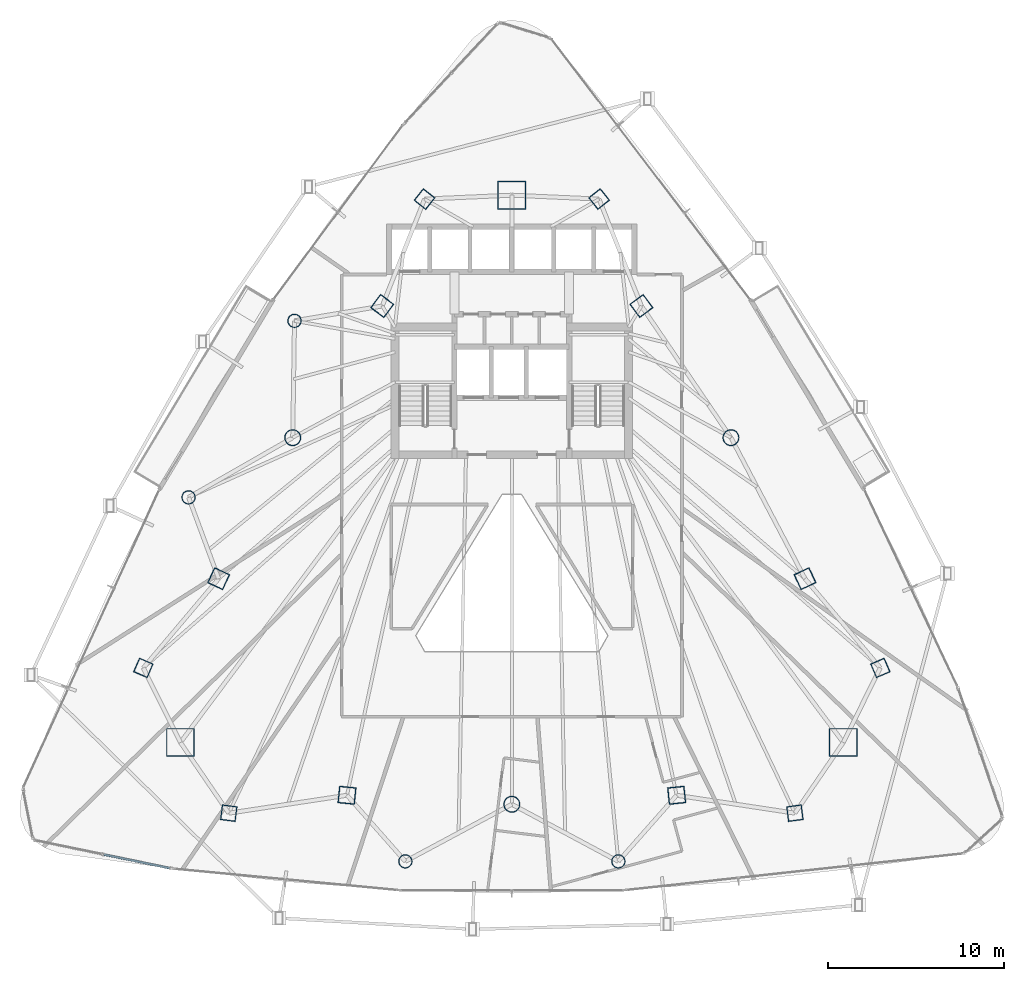
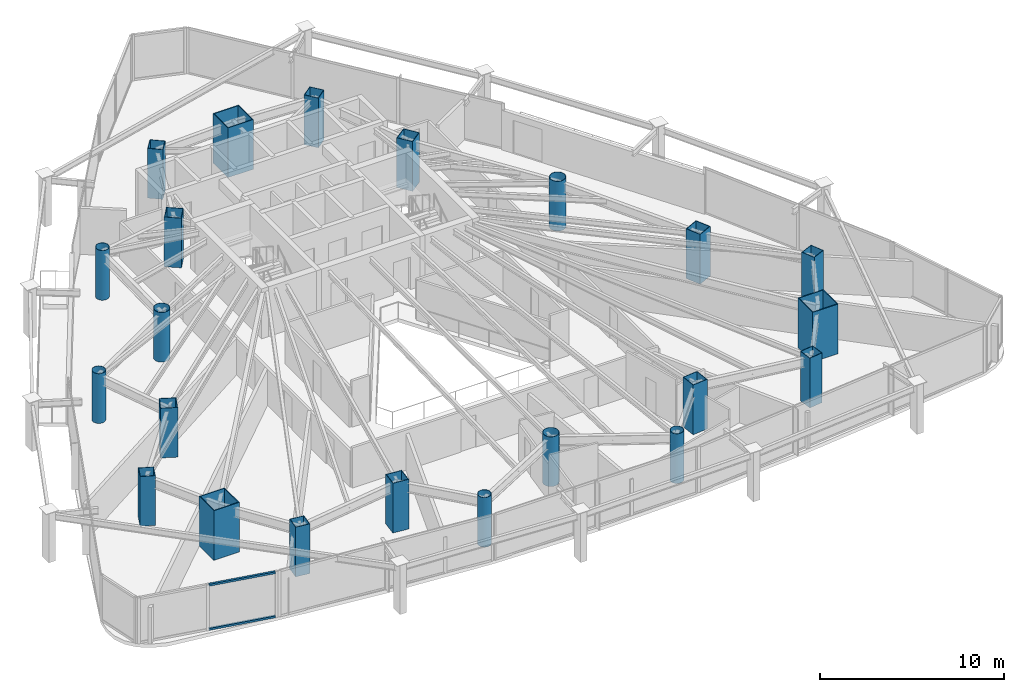
# One storey, part 1 of 33: 22 columns, 2 members, 1 element without a shape of its own.
"""IFC4 building model written with IfcOpenShell, lengths in metres."""

from ifc_helpers import new_model, si_unit, direction, frame, origin, origin_2d, place, context, subcontext, project, spatial, hollow_rectangle, hollow_circle, extrude, material, layer, layer_set, material_profile, profile_set, type_object, element, aggregate, save


model = new_model("IFC4")

# Units and contexts
model_context = context("Model", 3, precision=1e-05, world=origin(), true_north=direction((0.0, 1.0)))
body_context = subcontext(model_context, "Body", "Model", "MODEL_VIEW")
ifc_project = project(units=[si_unit("LENGTHUNIT", "METRE"), si_unit("AREAUNIT", "SQUARE_METRE"), si_unit("VOLUMEUNIT", "CUBIC_METRE"), si_unit("PLANEANGLEUNIT", "RADIAN"), si_unit("MASSUNIT", "GRAM", prefix="KILO")], contexts=[model_context])

# Site, building, storey
site_placement = place(None, origin())
site = spatial("IfcSite", under=ifc_project, at=site_placement, CompositionType="ELEMENT")
building_placement = place(site_placement, origin())
building = spatial("IfcBuilding", under=site, at=building_placement, Name="Orvanel Arch Residences", CompositionType="ELEMENT")
storey_placement = place(building_placement, frame((0.0, 0.0, 70.85009765625)))
storey = spatial("IfcBuildingStorey", under=building, at=storey_placement, Name="L19", CompositionType="ELEMENT", Elevation=70.85009765625)

# Columns
ifc_material_1 = material(Name="Structural steel AS/NZS 1163 C450L0 (Grade 450)", Category="steel")
ifc_material_profile_1 = material_profile(ifc_material_1, hollow_circle(Radius=0.381103515625, WallThickness=0.02197265625, at=origin_2d()), Name="CHS762x22")
ifc_profile_set_1 = profile_set([ifc_material_profile_1], Name="Structural steel AS/NZS 1163 C450L0 (Grade 450)")
column_type_1 = type_object("IfcColumnType", Name="CC-762", PredefinedType="COLUMN", material=ifc_profile_set_1)
for number, where, z_axis, x_axis, name in (
    (1, (20.669921875, 34.27099609375, 0.0), (0.0, 0.0, 1.0), (1.0, 0.0, 0.0), "L19 Low-Rise Buttress Tube Column 01"),
    (2, (14.662109375, 24.256103515625, 0.0), (0.0, 0.0, 1.0), (1.0, 0.0, 0.0), "L19 Low-Rise Buttress Tube Column 02"),
    (3, (26.9580078125, 3.60498046875, 0.0), (0.0, 0.0, 1.0), (1.0, 0.0, 0.0), "L19 Low-Rise Buttress Tube Column 03"),
    (4, (39.0419921875, 3.60498046875, 0.0), (0.0, 0.0, 1.0), (1.0, 0.0, 0.0), "L19 Low-Rise Buttress Tube Column 04"),
):
    element("IfcColumn", number, at=place(storey_placement, frame(where, z_axis=z_axis, x_axis=x_axis)), inside=storey, type_object=column_type_1, Name=name, PredefinedType="COLUMN", context=body_context, shape_type="SweptSolid", body=[
        extrude(hollow_circle(Radius=0.381103515625, WallThickness=0.02197265625, at=origin_2d()), origin(), (0.0, 0.0, 1.0), 3.2998046875),
    ])
ifc_material_profile_2 = material_profile(ifc_material_1, hollow_circle(Radius=0.45703125, WallThickness=0.02490234375, at=origin_2d()), Name="CHS914x25")
ifc_profile_set_2 = profile_set([ifc_material_profile_2], Name="Structural steel AS/NZS 1163 C450L0 (Grade 450)")
column_type_2 = type_object("IfcColumnType", Name="CC-914", PredefinedType="COLUMN", material=ifc_profile_set_2)
for number, where, z_axis, x_axis, name in (
    (5, (20.569091796875, 27.64111328125, 0.0), (0.0, 0.0, 1.0), (1.0, 0.0, 0.0), "L19 High-Rise Tube Column 02"),
    (6, (33.0, 6.843994140625, 0.0), (0.0, 0.0, 1.0), (1.0, 0.0, 0.0), "L19 High-Rise Tube Column 05"),
    (7, (45.430908203125, 27.64111328125, 0.0), (0.0, 0.0, 1.0), (1.0, 0.0, 0.0), "L19 High-Rise Tube Column 08"),
):
    element("IfcColumn", number, at=place(storey_placement, frame(where, z_axis=z_axis, x_axis=x_axis)), inside=storey, type_object=column_type_2, Name=name, PredefinedType="COLUMN", context=body_context, shape_type="SweptSolid", body=[
        extrude(hollow_circle(Radius=0.45703125, WallThickness=0.02490234375, at=origin_2d()), origin(), (0.0, 0.0, 1.0), 3.2998046875),
    ])
ifc_material_2 = material(Name="Structural steel AS/NZS 3678 Grade 450", Category="steel")
ifc_material_profile_3 = material_profile(ifc_material_2, hollow_rectangle(XDim=1.60009765625, YDim=1.60009765625, WallThickness=0.050048828125, at=origin_2d()), Name="BOX1600x1600x50")
ifc_profile_set_3 = profile_set([ifc_material_profile_3], Name="Structural steel AS/NZS 3678 Grade 450")
column_type_3 = type_object("IfcColumnType", Name="MC-1600", PredefinedType="COLUMN", material=ifc_profile_set_3)
for number, where, z_axis, x_axis, name in (
    (8, (33.0, 41.39794921875, 0.0), (0.0, 0.0, 1.0), (1.0, 0.0, 0.0), "L19 Corner Mega-Column 1"),
    (9, (14.198974609375, 10.35107421875, 0.0), (0.0, 0.0, 1.0), (1.0, 0.0, 0.0), "L19 Corner Mega-Column 2"),
    (10, (51.801025390625, 10.35107421875, 0.0), (0.0, 0.0, 1.0), (1.0, 0.0, 0.0), "L19 Corner Mega-Column 3"),
):
    element("IfcColumn", number, at=place(storey_placement, frame(where, z_axis=z_axis, x_axis=x_axis)), inside=storey, type_object=column_type_3, Name=name, PredefinedType="COLUMN", context=body_context, shape_type="SweptSolid", body=[
        extrude(hollow_rectangle(XDim=1.60009765625, YDim=1.60009765625, WallThickness=0.050048828125, at=origin_2d()), origin(), (0.0, 0.0, 1.0), 3.2998046875),
    ])
ifc_material_3 = material(Name="Structural steel AS/NZS 3678 Grade 350", Category="steel")
ifc_material_profile_4 = material_profile(ifc_material_3, hollow_rectangle(XDim=0.85009765625, YDim=0.85009765625, WallThickness=0.028076171875, at=origin_2d()), Name="BOX850x850x28")
ifc_profile_set_4 = profile_set([ifc_material_profile_4], Name="Structural steel AS/NZS 3678 Grade 350")
column_type_4 = type_object("IfcColumnType", Name="TC-850", PredefinedType="COLUMN", material=ifc_profile_set_4)
for number, where, z_axis, x_axis, name in (
    (11, (28.050048828125, 41.177978515625, 0.0), (0.0, 0.0, 1.0), (0.623879596709, 0.781520472419, 0.0), "L19 Mid-Rise Buttress Tube Column 01"),
    (12, (12.094970703125, 14.580078125, 0.0), (0.0, 0.0, 1.0), (0.397147890635, 0.917754625684, 0.0), "L19 Mid-Rise Buttress Tube Column 02"),
    (13, (16.94091796875, 6.339111328125, 0.0), (0.0, 0.0, 1.0), (-0.99189444259, 0.127064608601, 0.0), "L19 Mid-Rise Buttress Tube Column 03"),
    (14, (49.05908203125, 6.339111328125, 0.0), (0.0, 0.0, 1.0), (0.99189444259, 0.127064608601, 0.0), "L19 Mid-Rise Buttress Tube Column 04"),
    (15, (53.905029296875, 14.580078125, 0.0), (0.0, 0.0, 1.0), (-0.397147890635, 0.917754625684, 0.0), "L19 Mid-Rise Buttress Tube Column 05"),
    (16, (37.949951171875, 41.177978515625, 0.0), (0.0, 0.0, 1.0), (-0.623879596709, 0.781520472419, 0.0), "L19 Mid-Rise Buttress Tube Column 06"),
):
    element("IfcColumn", number, at=place(storey_placement, frame(where, z_axis=z_axis, x_axis=x_axis)), inside=storey, type_object=column_type_4, Name=name, PredefinedType="COLUMN", context=body_context, shape_type="SweptSolid", body=[
        extrude(hollow_rectangle(XDim=0.85009765625, YDim=0.85009765625, WallThickness=0.028076171875, at=origin_2d()), origin(), (0.0, 0.0, 1.0), 3.2998046875),
    ])
ifc_material_profile_5 = material_profile(ifc_material_3, hollow_rectangle(XDim=0.949951171875, YDim=0.949951171875, WallThickness=0.031982421875, at=origin_2d()), Name="BOX950x950x32")
ifc_profile_set_5 = profile_set([ifc_material_profile_5], Name="Structural steel AS/NZS 3678 Grade 350")
column_type_5 = type_object("IfcColumnType", Name="TC-950", PredefinedType="COLUMN", material=ifc_profile_set_5)
for number, where, z_axis, x_axis, name in (
    (17, (25.64794921875, 35.113037109375, 0.0), (0.0, 0.0, 1.0), (0.600420225326, 0.799684658487, 0.0), "L19 High-Rise Tube Column 01"),
    (18, (16.366943359375, 19.64208984375, 0.0), (0.0, 0.0, 1.0), (0.422618261741, 0.906307787037, 0.0), "L19 High-Rise Tube Column 03"),
    (19, (23.64892578125, 7.35498046875, 0.0), (0.0, 0.0, 1.0), (-0.994880708829, 0.101056297183, 0.0), "L19 High-Rise Tube Column 04"),
    (20, (42.35107421875, 7.35498046875, 0.0), (0.0, 0.0, 1.0), (0.994880708829, 0.101056297183, 0.0), "L19 High-Rise Tube Column 06"),
    (21, (49.633056640625, 19.64208984375, 0.0), (0.0, 0.0, 1.0), (-0.422618261741, 0.906307787037, 0.0), "L19 High-Rise Tube Column 07"),
    (22, (40.35205078125, 35.113037109375, 0.0), (0.0, 0.0, 1.0), (-0.600420225326, 0.799684658487, 0.0), "L19 High-Rise Tube Column 09"),
):
    element("IfcColumn", number, at=place(storey_placement, frame(where, z_axis=z_axis, x_axis=x_axis)), inside=storey, type_object=column_type_5, Name=name, PredefinedType="COLUMN", context=body_context, shape_type="SweptSolid", body=[
        extrude(hollow_rectangle(XDim=0.949951171875, YDim=0.949951171875, WallThickness=0.031982421875, at=origin_2d()), origin(), (0.0, 0.0, 1.0), 3.2998046875),
    ])

# Curtain wall, members
ifc_material_4 = material(Name="Bronze-anodised aluminium AA6063-T6", Category="aluminium")
ifc_layer = layer(ifc_material_4, 0.18994140625)
ifc_layer_set = layer_set([ifc_layer], Name="Bronze-anodised aluminium AA6063-T6")
curtain_wall_type = type_object("IfcCurtainWallType", Name="CW5-CRN-SYS", PredefinedType="NOTDEFINED", material=ifc_layer_set)
curtain_wall_placement = place(storey_placement, origin())
curtain_wall = element("IfcCurtainWall", 23, at=curtain_wall_placement, inside=storey, type_object=curtain_wall_type, Name="L19 CW5-CRN-SYS Unitised Curtain Wall", PredefinedType="NOTDEFINED")
ifc_material_profile_6 = material_profile(ifc_material_4, hollow_rectangle(XDim=0.1298828125, YDim=0.1298828125, WallThickness=0.00439453125, at=origin_2d()), Name="ALU130x130x4.5")
ifc_profile_set_6 = profile_set([ifc_material_profile_6], Name="Bronze-anodised aluminium AA6063-T6")
member_type = type_object("IfcMemberType", Name="TRN-130x130", PredefinedType="USERDEFINED", material=ifc_profile_set_6)
member_1_placement = place(storey_placement, frame((9.8740234375, 3.99072265625, 0.06494140625), z_axis=(0.979330277509, -0.202267663144, 0.0), x_axis=(0.202267663144, 0.979330277509, 0.0)))
member_1 = element("IfcMember", 24, at=member_1_placement, type_object=member_type, Name="CW-S5 transom 2.1", ObjectType="TRANSOM", PredefinedType="USERDEFINED", context=body_context, shape_type="SweptSolid", body=[
    extrude(hollow_rectangle(XDim=0.1298828125, YDim=0.1298828125, WallThickness=0.00439453125, at=origin_2d()), origin(), (0.0, 0.0, 1.0), 3.798583984375),
])
member_2_placement = place(storey_placement, frame((9.8740234375, 3.99072265625, 2.994873046875), z_axis=(0.979330277509, -0.202267663144, 0.0), x_axis=(0.202267663144, 0.979330277509, 0.0)))
member_2 = element("IfcMember", 25, at=member_2_placement, type_object=member_type, Name="CW-S5 transom 2.2", ObjectType="TRANSOM", PredefinedType="USERDEFINED", context=body_context, shape_type="SweptSolid", body=[
    extrude(hollow_rectangle(XDim=0.1298828125, YDim=0.1298828125, WallThickness=0.00439453125, at=origin_2d()), origin(), (0.0, 0.0, 1.0), 3.798583984375),
])
aggregate(curtain_wall, [member_1, member_2])

save(model, "model.ifc")
